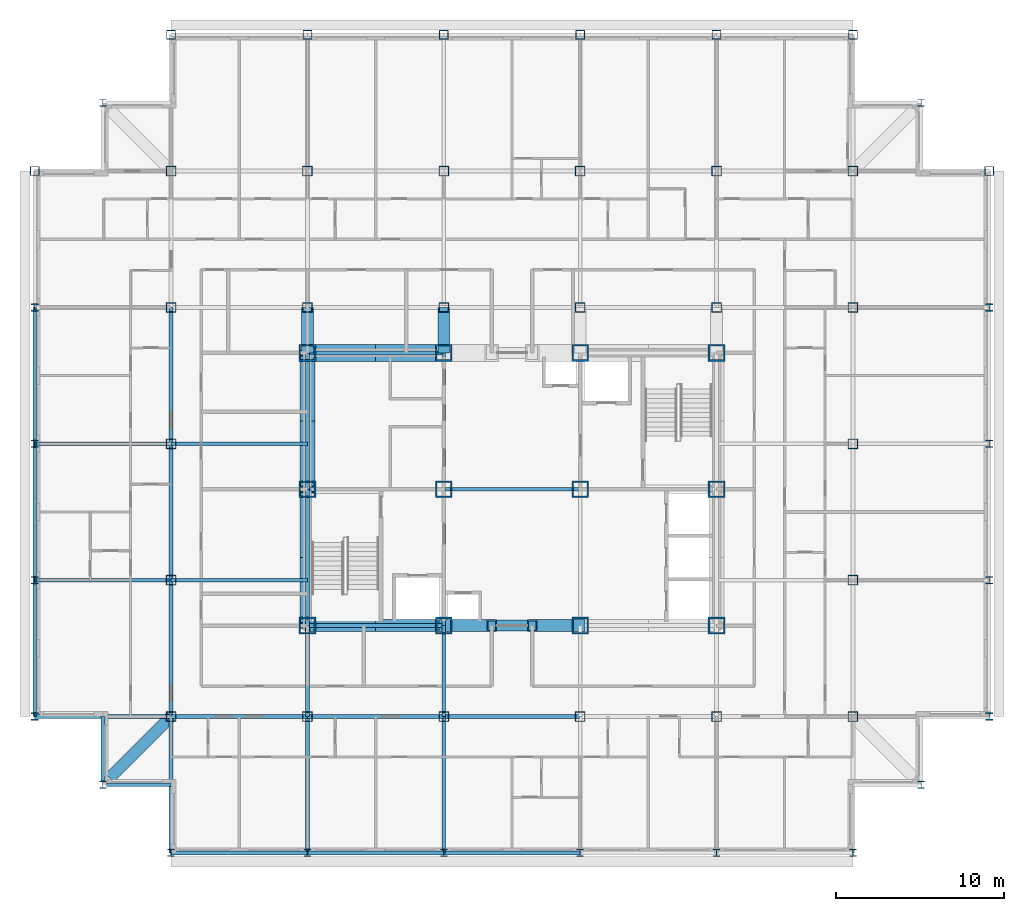
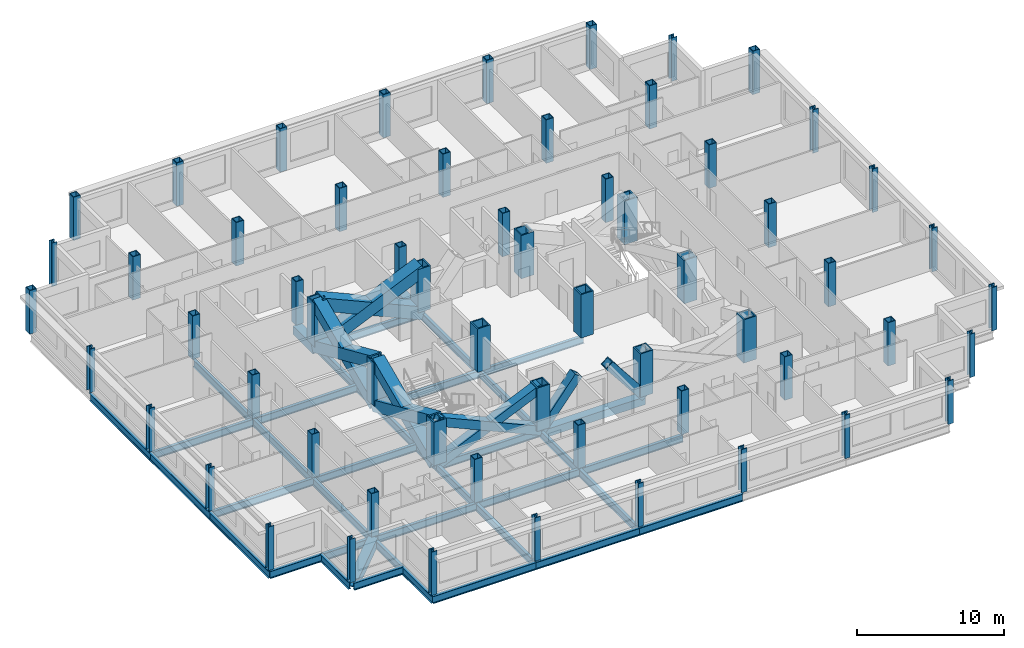
# One storey, part 1 of 12: 60 columns, 36 beams, 10 members.
"""IFC4 building model written with IfcOpenShell, lengths in metres."""

from ifc_helpers import new_model, si_unit, direction, frame, origin, origin_2d, place, context, subcontext, project, spatial, hollow_rectangle, i_section, extrude, material, material_profile, profile_set, type_object, element, save


model = new_model("IFC4")

# Units and contexts
model_context = context("Model", 3, precision=1e-05, world=origin(), true_north=direction((0.0, 1.0)))
body_context = subcontext(model_context, "Body", "Model", "MODEL_VIEW")
ifc_project = project(units=[si_unit("LENGTHUNIT", "METRE"), si_unit("AREAUNIT", "SQUARE_METRE"), si_unit("VOLUMEUNIT", "CUBIC_METRE"), si_unit("PLANEANGLEUNIT", "RADIAN"), si_unit("MASSUNIT", "GRAM", prefix="KILO")], contexts=[model_context])

# Site, building, storey
site_placement = place(None, origin())
site = spatial("IfcSite", under=ifc_project, at=site_placement, CompositionType="ELEMENT")
building_placement = place(site_placement, origin())
building = spatial("IfcBuilding", under=site, at=building_placement, Name="Kopane Lantern Tower", CompositionType="ELEMENT")
storey_placement = place(building_placement, frame((0.0, 0.0, 206.39990234375)))
storey = spatial("IfcBuildingStorey", under=building, at=storey_placement, Name="L53", CompositionType="ELEMENT", Elevation=206.39990234375)

# Columns
ifc_material_1 = material(Name="Steel S355JR", Category="steel")
ifc_material_profile_1 = material_profile(ifc_material_1, hollow_rectangle(XDim=1.0, YDim=1.0, WallThickness=0.10009765625, at=origin_2d()), Name="BOX 1000x1000x100")
ifc_profile_set_1 = profile_set([ifc_material_profile_1], Name="Steel S355JR")
column_type_1 = type_object("IfcColumnType", Name="COLUMN BOX 1000x1000x100", PredefinedType="COLUMN", material=ifc_profile_set_1)
for number, where, z_axis, x_axis, name in (
    (1, (16.199951171875, 24.300048828125, 0.0), (0.0, 0.0, 1.0), (1.0, 0.0, 0.0), "Column 4/E L53"),
    (2, (16.199951171875, 32.39990234375, 0.0), (0.0, 0.0, 1.0), (1.0, 0.0, 0.0), "Column 4/F L53"),
    (3, (16.199951171875, 40.5, 0.0), (0.0, 0.0, 1.0), (1.0, 0.0, 0.0), "Column 4/G L53"),
    (4, (24.300048828125, 24.300048828125, 0.0), (0.0, 0.0, 1.0), (1.0, 0.0, 0.0), "Column 5/E L53"),
    (5, (24.300048828125, 32.39990234375, 0.0), (0.0, 0.0, 1.0), (1.0, 0.0, 0.0), "Column 5/F L53"),
    (6, (24.300048828125, 40.5, 0.0), (0.0, 0.0, 1.0), (1.0, 0.0, 0.0), "Column 5/G L53"),
    (7, (32.39990234375, 24.300048828125, 0.0), (0.0, 0.0, 1.0), (1.0, 0.0, 0.0), "Column 6/E L53"),
    (8, (32.39990234375, 32.39990234375, 0.0), (0.0, 0.0, 1.0), (1.0, 0.0, 0.0), "Column 6/F L53"),
    (9, (32.39990234375, 40.5, 0.0), (0.0, 0.0, 1.0), (1.0, 0.0, 0.0), "Column 6/G L53"),
    (10, (40.5, 24.300048828125, 0.0), (0.0, 0.0, 1.0), (1.0, 0.0, 0.0), "Column 7/E L53"),
    (11, (40.5, 32.39990234375, 0.0), (0.0, 0.0, 1.0), (1.0, 0.0, 0.0), "Column 7/F L53"),
    (12, (40.5, 40.5, 0.0), (0.0, 0.0, 1.0), (1.0, 0.0, 0.0), "Column 7/G L53"),
):
    element("IfcColumn", number, at=place(storey_placement, frame(where, z_axis=z_axis, x_axis=x_axis)), inside=storey, type_object=column_type_1, Name=name, PredefinedType="COLUMN", context=body_context, shape_type="SweptSolid", body=[
        extrude(hollow_rectangle(XDim=1.0, YDim=1.0, WallThickness=0.10009765625, at=origin_2d()), origin(), (0.0, 0.0, 1.0), 3.60009765625),
    ])
ifc_material_2 = material(Name="Steel S355JR", Category="steel")
ifc_material_profile_2 = material_profile(ifc_material_2, hollow_rectangle(XDim=0.550048828125, YDim=0.550048828125, WallThickness=0.044921875, at=origin_2d()), Name="BOX 550x550x45")
ifc_profile_set_2 = profile_set([ifc_material_profile_2], Name="Steel S355JR")
column_type_2 = type_object("IfcColumnType", Name="COLUMN BOX 550x550x45", PredefinedType="COLUMN", material=ifc_profile_set_2)
for number, where, z_axis, x_axis, name in (
    (13, (0.0, 51.300048828125, 0.0), (0.0, 0.0, 1.0), (1.0, 0.0, 0.0), "Column 2/Q6 L53"),
    (14, (8.10009765625, 59.39990234375, 0.0), (0.0, 0.0, 1.0), (1.0, 0.0, 0.0), "Column 3/Q7 L53"),
    (15, (16.199951171875, 59.39990234375, 0.0), (0.0, 0.0, 1.0), (1.0, 0.0, 0.0), "Column 4/Q7 L53"),
    (16, (24.300048828125, 59.39990234375, 0.0), (0.0, 0.0, 1.0), (1.0, 0.0, 0.0), "Column 5/Q7 L53"),
    (17, (32.39990234375, 59.39990234375, 0.0), (0.0, 0.0, 1.0), (1.0, 0.0, 0.0), "Column 6/Q7 L53"),
    (18, (40.5, 59.39990234375, 0.0), (0.0, 0.0, 1.0), (1.0, 0.0, 0.0), "Column 7/Q7 L53"),
    (19, (48.60009765625, 59.39990234375, 0.0), (0.0, 0.0, 1.0), (1.0, 0.0, 0.0), "Column 8/Q7 L53"),
    (20, (56.699951171875, 51.300048828125, 0.0), (0.0, 0.0, 1.0), (1.0, 0.0, 0.0), "Column 9/Q6 L53"),
):
    element("IfcColumn", number, at=place(storey_placement, frame(where, z_axis=z_axis, x_axis=x_axis)), inside=storey, type_object=column_type_2, Name=name, PredefinedType="COLUMN", context=body_context, shape_type="SweptSolid", body=[
        extrude(hollow_rectangle(XDim=0.550048828125, YDim=0.550048828125, WallThickness=0.044921875, at=origin_2d()), origin(), (0.0, 0.0, 1.0), 3.60009765625),
    ])
ifc_material_3 = material(Name="Steel S355JR", Category="steel")
ifc_material_profile_3 = material_profile(ifc_material_3, hollow_rectangle(XDim=0.60009765625, YDim=0.60009765625, WallThickness=0.050048828125, at=origin_2d()), Name="BOX 600x600x50")
ifc_profile_set_3 = profile_set([ifc_material_profile_3], Name="Steel S355JR")
column_type_3 = type_object("IfcColumnType", Name="COLUMN BOX 600x600x50", PredefinedType="COLUMN", material=ifc_profile_set_3)
for number, where, z_axis, x_axis, name in (
    (21, (8.10009765625, 18.89990234375, 0.0), (0.0, 0.0, 1.0), (1.0, 0.0, 0.0), "Column 3/Q2 L53"),
    (22, (8.10009765625, 27.0, 0.0), (0.0, 0.0, 1.0), (1.0, 0.0, 0.0), "Column 3/Q3 L53"),
    (23, (8.10009765625, 35.10009765625, 0.0), (0.0, 0.0, 1.0), (1.0, 0.0, 0.0), "Column 3/Q4 L53"),
    (24, (8.10009765625, 43.199951171875, 0.0), (0.0, 0.0, 1.0), (1.0, 0.0, 0.0), "Column 3/Q5 L53"),
    (25, (8.10009765625, 51.300048828125, 0.0), (0.0, 0.0, 1.0), (1.0, 0.0, 0.0), "Column 3/Q6 L53"),
    (26, (16.199951171875, 18.89990234375, 0.0), (0.0, 0.0, 1.0), (1.0, 0.0, 0.0), "Column 4/Q2 L53"),
    (27, (16.199951171875, 43.199951171875, 0.0), (0.0, 0.0, 1.0), (1.0, 0.0, 0.0), "Column 4/Q5 L53"),
    (28, (16.199951171875, 51.300048828125, 0.0), (0.0, 0.0, 1.0), (1.0, 0.0, 0.0), "Column 4/Q6 L53"),
    (29, (24.300048828125, 18.89990234375, 0.0), (0.0, 0.0, 1.0), (1.0, 0.0, 0.0), "Column 5/Q2 L53"),
    (30, (24.300048828125, 43.199951171875, 0.0), (0.0, 0.0, 1.0), (1.0, 0.0, 0.0), "Column 5/Q5 L53"),
    (31, (24.300048828125, 51.300048828125, 0.0), (0.0, 0.0, 1.0), (1.0, 0.0, 0.0), "Column 5/Q6 L53"),
    (32, (32.39990234375, 18.89990234375, 0.0), (0.0, 0.0, 1.0), (1.0, 0.0, 0.0), "Column 6/Q2 L53"),
    (33, (32.39990234375, 43.199951171875, 0.0), (0.0, 0.0, 1.0), (1.0, 0.0, 0.0), "Column 6/Q5 L53"),
    (34, (32.39990234375, 51.300048828125, 0.0), (0.0, 0.0, 1.0), (1.0, 0.0, 0.0), "Column 6/Q6 L53"),
    (35, (40.5, 18.89990234375, 0.0), (0.0, 0.0, 1.0), (1.0, 0.0, 0.0), "Column 7/Q2 L53"),
    (36, (40.5, 43.199951171875, 0.0), (0.0, 0.0, 1.0), (1.0, 0.0, 0.0), "Column 7/Q5 L53"),
    (37, (40.5, 51.300048828125, 0.0), (0.0, 0.0, 1.0), (1.0, 0.0, 0.0), "Column 7/Q6 L53"),
    (38, (48.60009765625, 18.89990234375, 0.0), (0.0, 0.0, 1.0), (1.0, 0.0, 0.0), "Column 8/Q2 L53"),
    (39, (48.60009765625, 27.0, 0.0), (0.0, 0.0, 1.0), (1.0, 0.0, 0.0), "Column 8/Q3 L53"),
    (40, (48.60009765625, 35.10009765625, 0.0), (0.0, 0.0, 1.0), (1.0, 0.0, 0.0), "Column 8/Q4 L53"),
    (41, (48.60009765625, 43.199951171875, 0.0), (0.0, 0.0, 1.0), (1.0, 0.0, 0.0), "Column 8/Q5 L53"),
    (42, (48.60009765625, 51.300048828125, 0.0), (0.0, 0.0, 1.0), (1.0, 0.0, 0.0), "Column 8/Q6 L53"),
):
    element("IfcColumn", number, at=place(storey_placement, frame(where, z_axis=z_axis, x_axis=x_axis)), inside=storey, type_object=column_type_3, Name=name, PredefinedType="COLUMN", context=body_context, shape_type="SweptSolid", body=[
        extrude(hollow_rectangle(XDim=0.60009765625, YDim=0.60009765625, WallThickness=0.050048828125, at=origin_2d()), origin(), (0.0, 0.0, 1.0), 3.60009765625),
    ])
ifc_material_4 = material(Name="Steel S355JR", Category="steel")
ifc_material_profile_4 = material_profile(ifc_material_4, i_section(OverallWidth=0.406982421875, OverallDepth=0.4189453125, WebThickness=0.030517578125, FlangeThickness=0.04931640625, FilletRadius=0.01513671875, at=origin_2d()), Name="UC 356x406x393")
ifc_profile_set_4 = profile_set([ifc_material_profile_4], Name="Steel S355JR")
column_type_4 = type_object("IfcColumnType", Name="COLUMN UC 356x406x393", PredefinedType="COLUMN", material=ifc_profile_set_4)
for number, where, z_axis, x_axis, name in (
    (43, (4.050048828125, 14.85009765625, 0.0), (0.0, 0.0, 1.0), (1.0, 0.0, 0.0), "Column 4.05/14.85 L53"),
    (44, (4.050048828125, 55.35009765625, 0.0), (0.0, 0.0, 1.0), (1.0, 0.0, 0.0), "Column 4.05/55.35 L53"),
    (45, (52.64990234375, 14.85009765625, 0.0), (0.0, 0.0, 1.0), (1.0, 0.0, 0.0), "Column 52.65/14.85 L53"),
    (46, (52.64990234375, 55.35009765625, 0.0), (0.0, 0.0, 1.0), (1.0, 0.0, 0.0), "Column 52.65/55.35 L53"),
):
    element("IfcColumn", number, at=place(storey_placement, frame(where, z_axis=z_axis, x_axis=x_axis)), inside=storey, type_object=column_type_4, Name=name, PredefinedType="COLUMN", context=body_context, shape_type="SweptSolid", body=[
        extrude(i_section(OverallWidth=0.406982421875, OverallDepth=0.4189453125, WebThickness=0.030517578125, FlangeThickness=0.04931640625, FilletRadius=0.01513671875, at=origin_2d()), origin(), (0.0, 0.0, 1.0), 3.60009765625),
    ])
ifc_material_5 = material(Name="Steel S355JR", Category="steel")
ifc_material_profile_5 = material_profile(ifc_material_5, i_section(OverallWidth=0.41845703125, OverallDepth=0.45556640625, WebThickness=0.0419921875, FlangeThickness=0.0673828125, FilletRadius=0.01513671875, at=origin_2d()), Name="UC 356x406x551")
ifc_profile_set_5 = profile_set([ifc_material_profile_5], Name="Steel S355JR")
column_type_5 = type_object("IfcColumnType", Name="COLUMN UC 356x406x551", PredefinedType="COLUMN", material=ifc_profile_set_5)
for number, where, z_axis, x_axis, name in (
    (47, (0.0, 18.89990234375, 0.0), (0.0, 0.0, 1.0), (1.0, 0.0, 0.0), "Column 2/Q2 L53"),
    (48, (0.0, 27.0, 0.0), (0.0, 0.0, 1.0), (1.0, 0.0, 0.0), "Column 2/Q3 L53"),
    (49, (0.0, 35.10009765625, 0.0), (0.0, 0.0, 1.0), (1.0, 0.0, 0.0), "Column 2/Q4 L53"),
    (50, (0.0, 43.199951171875, 0.0), (0.0, 0.0, 1.0), (1.0, 0.0, 0.0), "Column 2/Q5 L53"),
    (51, (8.10009765625, 10.800048828125, 0.0), (0.0, 0.0, 1.0), (1.0, 0.0, 0.0), "Column 3/Q1 L53"),
    (52, (16.199951171875, 10.800048828125, 0.0), (0.0, 0.0, 1.0), (1.0, 0.0, 0.0), "Column 4/Q1 L53"),
    (53, (24.300048828125, 10.800048828125, 0.0), (0.0, 0.0, 1.0), (1.0, 0.0, 0.0), "Column 5/Q1 L53"),
    (54, (32.39990234375, 10.800048828125, 0.0), (0.0, 0.0, 1.0), (1.0, 0.0, 0.0), "Column 6/Q1 L53"),
    (55, (40.5, 10.800048828125, 0.0), (0.0, 0.0, 1.0), (1.0, 0.0, 0.0), "Column 7/Q1 L53"),
    (56, (48.60009765625, 10.800048828125, 0.0), (0.0, 0.0, 1.0), (1.0, 0.0, 0.0), "Column 8/Q1 L53"),
    (57, (56.699951171875, 18.89990234375, 0.0), (0.0, 0.0, 1.0), (1.0, 0.0, 0.0), "Column 9/Q2 L53"),
    (58, (56.699951171875, 27.0, 0.0), (0.0, 0.0, 1.0), (1.0, 0.0, 0.0), "Column 9/Q3 L53"),
    (59, (56.699951171875, 35.10009765625, 0.0), (0.0, 0.0, 1.0), (1.0, 0.0, 0.0), "Column 9/Q4 L53"),
    (60, (56.699951171875, 43.199951171875, 0.0), (0.0, 0.0, 1.0), (1.0, 0.0, 0.0), "Column 9/Q5 L53"),
):
    element("IfcColumn", number, at=place(storey_placement, frame(where, z_axis=z_axis, x_axis=x_axis)), inside=storey, type_object=column_type_5, Name=name, PredefinedType="COLUMN", context=body_context, shape_type="SweptSolid", body=[
        extrude(i_section(OverallWidth=0.41845703125, OverallDepth=0.45556640625, WebThickness=0.0419921875, FlangeThickness=0.0673828125, FilletRadius=0.01513671875, at=origin_2d()), origin(), (0.0, 0.0, 1.0), 3.60009765625),
    ])

# Members
ifc_material_6 = material(Name="Steel S355JR", Category="steel")
ifc_material_profile_6 = material_profile(ifc_material_6, hollow_rectangle(XDim=1.0, YDim=1.0, WallThickness=0.10009765625, at=origin_2d()), Name="BOX 1000x1000x100")
ifc_profile_set_6 = profile_set([ifc_material_profile_6], Name="Steel S355JR")
member_type_1 = type_object("IfcMemberType", Name="BRACE BOX 1000x1000x100", PredefinedType="BRACE", material=ifc_profile_set_6)
for number, where, z_axis, x_axis, name in (
    (61, (16.199951171875, 40.5, -0.2099609375), (0.913809277049, 0.0, 0.40614357705), (0.0, 1.0, 0.0), "Core brace L53"),
    (62, (24.300048828125, 40.5, -0.2099609375), (-0.913809277049, 0.0, 0.40614357705), (0.0, -1.0, 0.0), "Core brace L53"),
):
    element("IfcMember", number, at=place(storey_placement, frame(where, z_axis=z_axis, x_axis=x_axis)), inside=storey, type_object=member_type_1, Name=name, PredefinedType="BRACE", context=body_context, shape_type="SweptSolid", body=[
        extrude(hollow_rectangle(XDim=1.0, YDim=1.0, WallThickness=0.10009765625, at=origin_2d()), origin(), (0.0, 0.0, 1.0), 8.864013671875),
    ])
ifc_material_7 = material(Name="Steel S355JR", Category="steel")
ifc_material_profile_7 = material_profile(ifc_material_7, hollow_rectangle(XDim=0.699951171875, YDim=0.699951171875, WallThickness=0.06005859375, at=origin_2d()), Name="BOX 700x700x60")
ifc_profile_set_7 = profile_set([ifc_material_profile_7], Name="Steel S355JR")
member_type_2 = type_object("IfcMemberType", Name="BRACE BOX 700x700x60", PredefinedType="BRACE", material=ifc_profile_set_7)
for number, where, z_axis, x_axis, name in (
    (63, (16.199951171875, 24.300048828125, -0.2099609375), (0.913809277049, 0.0, 0.40614357705), (0.0, 1.0, 0.0), "Core brace L53"),
    (64, (24.300048828125, 24.300048828125, -0.2099609375), (-0.913809277049, 0.0, 0.40614357705), (0.0, -1.0, 0.0), "Core brace L53"),
):
    element("IfcMember", number, at=place(storey_placement, frame(where, z_axis=z_axis, x_axis=x_axis)), inside=storey, type_object=member_type_2, Name=name, PredefinedType="BRACE", context=body_context, shape_type="SweptSolid", body=[
        extrude(hollow_rectangle(XDim=0.699951171875, YDim=0.699951171875, WallThickness=0.06005859375, at=origin_2d()), origin(), (0.0, 0.0, 1.0), 8.864013671875),
    ])
for number, where, z_axis, x_axis, name in (
    (65, (24.300048828125, 24.300048828125, -0.2099609375), (0.620672981644, 0.0, 0.784069544018), (0.0, 1.0, 0.0), "Core brace L53"),
    (66, (32.39990234375, 24.300048828125, -0.2099609375), (-0.620672981644, 0.0, 0.784069544018), (0.0, -1.0, 0.0), "Core brace L53"),
):
    element("IfcMember", number, at=place(storey_placement, frame(where, z_axis=z_axis, x_axis=x_axis)), inside=storey, type_object=member_type_2, Name=name, PredefinedType="BRACE", context=body_context, shape_type="SweptSolid", body=[
        extrude(hollow_rectangle(XDim=0.699951171875, YDim=0.699951171875, WallThickness=0.06005859375, at=origin_2d()), origin(), (0.0, 0.0, 1.0), 4.591552734375),
    ])
ifc_material_8 = material(Name="Steel S355JR", Category="steel")
ifc_material_profile_8 = material_profile(ifc_material_8, hollow_rectangle(XDim=0.89990234375, YDim=0.89990234375, WallThickness=0.090087890625, at=origin_2d()), Name="BOX 900x900x90")
ifc_profile_set_8 = profile_set([ifc_material_profile_8], Name="Steel S355JR")
member_type_3 = type_object("IfcMemberType", Name="BRACE BOX 900x900x90", PredefinedType="BRACE", material=ifc_profile_set_8)
for number, where, z_axis, x_axis, name in (
    (67, (16.199951171875, 24.300048828125, -0.2099609375), (0.0, 0.91380473365, 0.406153799391), (-1.0, 0.0, 0.0), "Core brace L53"),
    (68, (16.199951171875, 32.39990234375, -0.2099609375), (0.0, -0.91380473365, 0.406153799391), (1.0, 0.0, 0.0), "Core brace L53"),
):
    element("IfcMember", number, at=place(storey_placement, frame(where, z_axis=z_axis, x_axis=x_axis)), inside=storey, type_object=member_type_3, Name=name, PredefinedType="BRACE", context=body_context, shape_type="SweptSolid", body=[
        extrude(hollow_rectangle(XDim=0.89990234375, YDim=0.89990234375, WallThickness=0.090087890625, at=origin_2d()), origin(), (0.0, 0.0, 1.0), 8.86376953125),
    ])
for number, where, z_axis, x_axis, name in (
    (69, (16.199951171875, 32.39990234375, -0.2099609375), (0.0, 0.913809277049, 0.40614357705), (-1.0, 0.0, 0.0), "Core brace L53"),
    (70, (16.199951171875, 40.5, -0.2099609375), (0.0, -0.913809277049, 0.40614357705), (1.0, 0.0, 0.0), "Core brace L53"),
):
    element("IfcMember", number, at=place(storey_placement, frame(where, z_axis=z_axis, x_axis=x_axis)), inside=storey, type_object=member_type_3, Name=name, PredefinedType="BRACE", context=body_context, shape_type="SweptSolid", body=[
        extrude(hollow_rectangle(XDim=0.89990234375, YDim=0.89990234375, WallThickness=0.090087890625, at=origin_2d()), origin(), (0.0, 0.0, 1.0), 8.864013671875),
    ])

# Beams
ifc_material_9 = material(Name="Steel S355JR", Category="steel")
ifc_material_profile_9 = material_profile(ifc_material_9, i_section(OverallWidth=0.22900390625, OverallDepth=0.6123046875, WebThickness=0.011962890625, FlangeThickness=0.01953125, FilletRadius=0.0126953125, at=origin_2d()), Name="UB 610x229x125")
ifc_profile_set_9 = profile_set([ifc_material_profile_9], Name="Steel S355JR")
beam_type_1 = type_object("IfcBeamType", Name="CORE BEAM UB 610x229x125", PredefinedType="BEAM", material=ifc_profile_set_9)
beam_1_placement = place(storey_placement, frame((16.199951171875, 32.39990234375, -0.51611328125), z_axis=(1.0, 0.0, 0.0), x_axis=(0.0, 1.0, 0.0)))
element("IfcBeam", 71, at=beam_1_placement, inside=storey, type_object=beam_type_1, Name="Core Beam L53", PredefinedType="BEAM", context=body_context, shape_type="SweptSolid", body=[
    extrude(i_section(OverallWidth=0.22900390625, OverallDepth=0.6123046875, WebThickness=0.011962890625, FlangeThickness=0.01953125, FilletRadius=0.0126953125, at=origin_2d()), origin(), (0.0, 0.0, 1.0), 8.10009765625),
])
beam_2_placement = place(storey_placement, frame((24.300048828125, 24.300048828125, -0.51611328125), z_axis=(0.0, 1.0, 0.0), x_axis=(-1.0, 0.0, 0.0)))
element("IfcBeam", 72, at=beam_2_placement, inside=storey, type_object=beam_type_1, Name="Core Beam L53", PredefinedType="BEAM", context=body_context, shape_type="SweptSolid", body=[
    extrude(i_section(OverallWidth=0.22900390625, OverallDepth=0.6123046875, WebThickness=0.011962890625, FlangeThickness=0.01953125, FilletRadius=0.0126953125, at=origin_2d()), origin(), (0.0, 0.0, 1.0), 8.099853515625),
])
beam_3_placement = place(storey_placement, frame((24.300048828125, 32.39990234375, -0.51611328125), z_axis=(0.0, 1.0, 0.0), x_axis=(-1.0, 0.0, 0.0)))
element("IfcBeam", 73, at=beam_3_placement, inside=storey, type_object=beam_type_1, Name="Core Beam L53", PredefinedType="BEAM", context=body_context, shape_type="SweptSolid", body=[
    extrude(i_section(OverallWidth=0.22900390625, OverallDepth=0.6123046875, WebThickness=0.011962890625, FlangeThickness=0.01953125, FilletRadius=0.0126953125, at=origin_2d()), origin(), (0.0, 0.0, 1.0), 8.10009765625),
])
beam_4_placement = place(storey_placement, frame((24.300048828125, 32.39990234375, -0.51611328125), z_axis=(1.0, 0.0, 0.0), x_axis=(0.0, 1.0, 0.0)))
element("IfcBeam", 74, at=beam_4_placement, inside=storey, type_object=beam_type_1, Name="Core Beam L53", PredefinedType="BEAM", context=body_context, shape_type="SweptSolid", body=[
    extrude(i_section(OverallWidth=0.22900390625, OverallDepth=0.6123046875, WebThickness=0.011962890625, FlangeThickness=0.01953125, FilletRadius=0.0126953125, at=origin_2d()), origin(), (0.0, 0.0, 1.0), 8.099853515625),
])
ifc_material_10 = material(Name="Steel S355JR", Category="steel")
ifc_material_profile_10 = material_profile(ifc_material_10, hollow_rectangle(XDim=0.699951171875, YDim=0.699951171875, WallThickness=0.06005859375, at=origin_2d()), Name="BOX 700x700x60")
ifc_profile_set_10 = profile_set([ifc_material_profile_10], Name="Steel S355JR")
beam_type_2 = type_object("IfcBeamType", Name="CORNER TIE BEAM BOX 700x700x60", PredefinedType="BEAM", material=ifc_profile_set_10)
beam_5_placement = place(storey_placement, frame((4.447509765625, 15.24755859375, -0.559814453125), z_axis=(0.70713041325, 0.707083148333, 0.0), x_axis=(-0.707083148333, 0.70713041325, 0.0)))
element("IfcBeam", 75, at=beam_5_placement, inside=storey, type_object=beam_type_2, Name="Corner Tie Beam L53", PredefinedType="BEAM", context=body_context, shape_type="SweptSolid", body=[
    extrude(hollow_rectangle(XDim=0.699951171875, YDim=0.699951171875, WallThickness=0.06005859375, at=origin_2d()), origin(), (0.0, 0.0, 1.0), 5.165283203125),
])
ifc_material_11 = material(Name="Steel S355JR", Category="steel")
ifc_material_profile_11 = material_profile(ifc_material_11, i_section(OverallWidth=0.22900390625, OverallDepth=0.6123046875, WebThickness=0.011962890625, FlangeThickness=0.01953125, FilletRadius=0.0126953125, at=origin_2d()), Name="UB 610x229x125")
ifc_profile_set_11 = profile_set([ifc_material_profile_11], Name="Steel S355JR")
beam_type_3 = type_object("IfcBeamType", Name="EDGE BEAM UB 610x229x125", PredefinedType="BEAM", material=ifc_profile_set_11)
beam_6_placement = place(storey_placement, frame((4.050048828125, 15.053466796875, -0.51611328125), z_axis=(0.0, 1.0, 0.0), x_axis=(-1.0, 0.0, 0.0)))
element("IfcBeam", 76, at=beam_6_placement, inside=storey, type_object=beam_type_3, Name="Edge Beam L53", PredefinedType="BEAM", context=body_context, shape_type="SweptSolid", body=[
    extrude(i_section(OverallWidth=0.22900390625, OverallDepth=0.6123046875, WebThickness=0.011962890625, FlangeThickness=0.01953125, FilletRadius=0.0126953125, at=origin_2d()), origin(), (0.0, 0.0, 1.0), 3.846435546875),
])
beam_7_placement = place(storey_placement, frame((4.25341796875, 14.85009765625, -0.51611328125), z_axis=(1.0, 0.0, 0.0), x_axis=(0.0, 1.0, 0.0)))
element("IfcBeam", 77, at=beam_7_placement, inside=storey, type_object=beam_type_3, Name="Edge Beam L53", PredefinedType="BEAM", context=body_context, shape_type="SweptSolid", body=[
    extrude(i_section(OverallWidth=0.22900390625, OverallDepth=0.6123046875, WebThickness=0.011962890625, FlangeThickness=0.01953125, FilletRadius=0.0126953125, at=origin_2d()), origin(), (0.0, 0.0, 1.0), 3.8466796875),
])
ifc_material_12 = material(Name="Steel S355JR", Category="steel")
ifc_material_profile_12 = material_profile(ifc_material_12, hollow_rectangle(XDim=0.699951171875, YDim=0.699951171875, WallThickness=0.06005859375, at=origin_2d()), Name="BOX 700x700x60")
ifc_profile_set_12 = profile_set([ifc_material_profile_12], Name="Steel S355JR")
beam_type_4 = type_object("IfcBeamType", Name="GIRDER BOX 700x700x60", PredefinedType="BEAM", material=ifc_profile_set_12)
for number, where, z_axis, x_axis, name in (
    (78, (16.199951171875, 40.5, -0.559814453125), (0.0, 1.0, 0.0), (-1.0, 0.0, 0.0), "Girder L53"),
    (79, (24.300048828125, 40.5, -0.559814453125), (0.0, 1.0, 0.0), (-1.0, 0.0, 0.0), "Girder L53"),
):
    element("IfcBeam", number, at=place(storey_placement, frame(where, z_axis=z_axis, x_axis=x_axis)), inside=storey, type_object=beam_type_4, Name=name, PredefinedType="BEAM", context=body_context, shape_type="SweptSolid", body=[
        extrude(hollow_rectangle(XDim=0.699951171875, YDim=0.699951171875, WallThickness=0.06005859375, at=origin_2d()), origin(), (0.0, 0.0, 1.0), 2.699951171875),
    ])
ifc_material_13 = material(Name="Steel S355JR", Category="steel")
ifc_material_profile_13 = material_profile(ifc_material_13, i_section(OverallWidth=0.22900390625, OverallDepth=0.6123046875, WebThickness=0.011962890625, FlangeThickness=0.01953125, FilletRadius=0.0126953125, at=origin_2d()), Name="UB 610x229x125")
ifc_profile_set_13 = profile_set([ifc_material_profile_13], Name="Steel S355JR")
beam_type_5 = type_object("IfcBeamType", Name="GIRDER UB 610x229x125", PredefinedType="BEAM", material=ifc_profile_set_13)
for number, where, z_axis, x_axis, name in (
    (80, (0.0, 18.89990234375, -0.51611328125), (0.0, 1.0, 0.0), (-1.0, 0.0, 0.0), "Girder L53"),
    (81, (0.0, 18.89990234375, -0.51611328125), (1.0, 0.0, 0.0), (0.0, 1.0, 0.0), "Girder L53"),
    (82, (0.0, 27.0, -0.51611328125), (0.0, 1.0, 0.0), (-1.0, 0.0, 0.0), "Girder L53"),
    (83, (0.0, 27.0, -0.51611328125), (1.0, 0.0, 0.0), (0.0, 1.0, 0.0), "Girder L53"),
):
    element("IfcBeam", number, at=place(storey_placement, frame(where, z_axis=z_axis, x_axis=x_axis)), inside=storey, type_object=beam_type_5, Name=name, PredefinedType="BEAM", context=body_context, shape_type="SweptSolid", body=[
        extrude(i_section(OverallWidth=0.22900390625, OverallDepth=0.6123046875, WebThickness=0.011962890625, FlangeThickness=0.01953125, FilletRadius=0.0126953125, at=origin_2d()), origin(), (0.0, 0.0, 1.0), 8.10009765625),
    ])
beam_8_placement = place(storey_placement, frame((0.0, 35.10009765625, -0.51611328125), z_axis=(0.0, 1.0, 0.0), x_axis=(-1.0, 0.0, 0.0)))
element("IfcBeam", 84, at=beam_8_placement, inside=storey, type_object=beam_type_5, Name="Girder L53", PredefinedType="BEAM", context=body_context, shape_type="SweptSolid", body=[
    extrude(i_section(OverallWidth=0.22900390625, OverallDepth=0.6123046875, WebThickness=0.011962890625, FlangeThickness=0.01953125, FilletRadius=0.0126953125, at=origin_2d()), origin(), (0.0, 0.0, 1.0), 8.099853515625),
])
beam_9_placement = place(storey_placement, frame((0.0, 35.10009765625, -0.51611328125), z_axis=(1.0, 0.0, 0.0), x_axis=(0.0, 1.0, 0.0)))
element("IfcBeam", 85, at=beam_9_placement, inside=storey, type_object=beam_type_5, Name="Girder L53", PredefinedType="BEAM", context=body_context, shape_type="SweptSolid", body=[
    extrude(i_section(OverallWidth=0.22900390625, OverallDepth=0.6123046875, WebThickness=0.011962890625, FlangeThickness=0.01953125, FilletRadius=0.0126953125, at=origin_2d()), origin(), (0.0, 0.0, 1.0), 8.10009765625),
])
for number, where, z_axis, x_axis, name in (
    (86, (8.10009765625, 10.800048828125, -0.51611328125), (0.0, 1.0, 0.0), (-1.0, 0.0, 0.0), "Girder L53"),
    (87, (8.10009765625, 10.800048828125, -0.51611328125), (1.0, 0.0, 0.0), (0.0, 1.0, 0.0), "Girder L53"),
):
    element("IfcBeam", number, at=place(storey_placement, frame(where, z_axis=z_axis, x_axis=x_axis)), inside=storey, type_object=beam_type_5, Name=name, PredefinedType="BEAM", context=body_context, shape_type="SweptSolid", body=[
        extrude(i_section(OverallWidth=0.22900390625, OverallDepth=0.6123046875, WebThickness=0.011962890625, FlangeThickness=0.01953125, FilletRadius=0.0126953125, at=origin_2d()), origin(), (0.0, 0.0, 1.0), 8.099853515625),
    ])
beam_10_placement = place(storey_placement, frame((8.10009765625, 18.89990234375, -0.51611328125), z_axis=(0.0, 1.0, 0.0), x_axis=(-1.0, 0.0, 0.0)))
element("IfcBeam", 88, at=beam_10_placement, inside=storey, type_object=beam_type_5, Name="Girder L53", PredefinedType="BEAM", context=body_context, shape_type="SweptSolid", body=[
    extrude(i_section(OverallWidth=0.22900390625, OverallDepth=0.6123046875, WebThickness=0.011962890625, FlangeThickness=0.01953125, FilletRadius=0.0126953125, at=origin_2d()), origin(), (0.0, 0.0, 1.0), 8.10009765625),
])
beam_11_placement = place(storey_placement, frame((8.10009765625, 18.89990234375, -0.51611328125), z_axis=(1.0, 0.0, 0.0), x_axis=(0.0, 1.0, 0.0)))
element("IfcBeam", 89, at=beam_11_placement, inside=storey, type_object=beam_type_5, Name="Girder L53", PredefinedType="BEAM", context=body_context, shape_type="SweptSolid", body=[
    extrude(i_section(OverallWidth=0.22900390625, OverallDepth=0.6123046875, WebThickness=0.011962890625, FlangeThickness=0.01953125, FilletRadius=0.0126953125, at=origin_2d()), origin(), (0.0, 0.0, 1.0), 8.099853515625),
])
beam_12_placement = place(storey_placement, frame((8.10009765625, 27.0, -0.51611328125), z_axis=(0.0, 1.0, 0.0), x_axis=(-1.0, 0.0, 0.0)))
element("IfcBeam", 90, at=beam_12_placement, inside=storey, type_object=beam_type_5, Name="Girder L53", PredefinedType="BEAM", context=body_context, shape_type="SweptSolid", body=[
    extrude(i_section(OverallWidth=0.22900390625, OverallDepth=0.6123046875, WebThickness=0.011962890625, FlangeThickness=0.01953125, FilletRadius=0.0126953125, at=origin_2d()), origin(), (0.0, 0.0, 1.0), 8.10009765625),
])
for number, where, z_axis, x_axis, name in (
    (91, (8.10009765625, 27.0, -0.51611328125), (1.0, 0.0, 0.0), (0.0, 1.0, 0.0), "Girder L53"),
    (92, (8.10009765625, 35.10009765625, -0.51611328125), (0.0, 1.0, 0.0), (-1.0, 0.0, 0.0), "Girder L53"),
    (93, (8.10009765625, 35.10009765625, -0.51611328125), (1.0, 0.0, 0.0), (0.0, 1.0, 0.0), "Girder L53"),
    (94, (16.199951171875, 10.800048828125, -0.51611328125), (0.0, 1.0, 0.0), (-1.0, 0.0, 0.0), "Girder L53"),
):
    element("IfcBeam", number, at=place(storey_placement, frame(where, z_axis=z_axis, x_axis=x_axis)), inside=storey, type_object=beam_type_5, Name=name, PredefinedType="BEAM", context=body_context, shape_type="SweptSolid", body=[
        extrude(i_section(OverallWidth=0.22900390625, OverallDepth=0.6123046875, WebThickness=0.011962890625, FlangeThickness=0.01953125, FilletRadius=0.0126953125, at=origin_2d()), origin(), (0.0, 0.0, 1.0), 8.099853515625),
    ])
beam_13_placement = place(storey_placement, frame((16.199951171875, 10.800048828125, -0.51611328125), z_axis=(1.0, 0.0, 0.0), x_axis=(0.0, 1.0, 0.0)))
element("IfcBeam", 95, at=beam_13_placement, inside=storey, type_object=beam_type_5, Name="Girder L53", PredefinedType="BEAM", context=body_context, shape_type="SweptSolid", body=[
    extrude(i_section(OverallWidth=0.22900390625, OverallDepth=0.6123046875, WebThickness=0.011962890625, FlangeThickness=0.01953125, FilletRadius=0.0126953125, at=origin_2d()), origin(), (0.0, 0.0, 1.0), 8.10009765625),
])
beam_14_placement = place(storey_placement, frame((16.199951171875, 18.89990234375, -0.51611328125), z_axis=(0.0, 1.0, 0.0), x_axis=(-1.0, 0.0, 0.0)))
element("IfcBeam", 96, at=beam_14_placement, inside=storey, type_object=beam_type_5, Name="Girder L53", PredefinedType="BEAM", context=body_context, shape_type="SweptSolid", body=[
    extrude(i_section(OverallWidth=0.22900390625, OverallDepth=0.6123046875, WebThickness=0.011962890625, FlangeThickness=0.01953125, FilletRadius=0.0126953125, at=origin_2d()), origin(), (0.0, 0.0, 1.0), 5.400146484375),
])
beam_15_placement = place(storey_placement, frame((16.199951171875, 18.89990234375, -0.51611328125), z_axis=(1.0, 0.0, 0.0), x_axis=(0.0, 1.0, 0.0)))
element("IfcBeam", 97, at=beam_15_placement, inside=storey, type_object=beam_type_5, Name="Girder L53", PredefinedType="BEAM", context=body_context, shape_type="SweptSolid", body=[
    extrude(i_section(OverallWidth=0.22900390625, OverallDepth=0.6123046875, WebThickness=0.011962890625, FlangeThickness=0.01953125, FilletRadius=0.0126953125, at=origin_2d()), origin(), (0.0, 0.0, 1.0), 8.10009765625),
])
beam_16_placement = place(storey_placement, frame((16.199951171875, 24.300048828125, -0.51611328125), z_axis=(0.0, 1.0, 0.0), x_axis=(-1.0, 0.0, 0.0)))
element("IfcBeam", 98, at=beam_16_placement, inside=storey, type_object=beam_type_5, Name="Girder L53", PredefinedType="BEAM", context=body_context, shape_type="SweptSolid", body=[
    extrude(i_section(OverallWidth=0.22900390625, OverallDepth=0.6123046875, WebThickness=0.011962890625, FlangeThickness=0.01953125, FilletRadius=0.0126953125, at=origin_2d()), origin(), (0.0, 0.0, 1.0), 8.099853515625),
])
for number, where, z_axis, x_axis, name in (
    (99, (16.199951171875, 24.300048828125, -0.51611328125), (1.0, 0.0, 0.0), (0.0, 1.0, 0.0), "Girder L53"),
    (100, (16.199951171875, 32.39990234375, -0.51611328125), (0.0, 1.0, 0.0), (-1.0, 0.0, 0.0), "Girder L53"),
    (101, (16.199951171875, 40.5, -0.51611328125), (1.0, 0.0, 0.0), (0.0, 1.0, 0.0), "Girder L53"),
):
    element("IfcBeam", number, at=place(storey_placement, frame(where, z_axis=z_axis, x_axis=x_axis)), inside=storey, type_object=beam_type_5, Name=name, PredefinedType="BEAM", context=body_context, shape_type="SweptSolid", body=[
        extrude(i_section(OverallWidth=0.22900390625, OverallDepth=0.6123046875, WebThickness=0.011962890625, FlangeThickness=0.01953125, FilletRadius=0.0126953125, at=origin_2d()), origin(), (0.0, 0.0, 1.0), 8.10009765625),
    ])
for number, where, z_axis, x_axis, name in (
    (102, (24.300048828125, 10.800048828125, -0.51611328125), (0.0, 1.0, 0.0), (-1.0, 0.0, 0.0), "Girder L53"),
    (103, (24.300048828125, 10.800048828125, -0.51611328125), (1.0, 0.0, 0.0), (0.0, 1.0, 0.0), "Girder L53"),
):
    element("IfcBeam", number, at=place(storey_placement, frame(where, z_axis=z_axis, x_axis=x_axis)), inside=storey, type_object=beam_type_5, Name=name, PredefinedType="BEAM", context=body_context, shape_type="SweptSolid", body=[
        extrude(i_section(OverallWidth=0.22900390625, OverallDepth=0.6123046875, WebThickness=0.011962890625, FlangeThickness=0.01953125, FilletRadius=0.0126953125, at=origin_2d()), origin(), (0.0, 0.0, 1.0), 8.099853515625),
    ])
beam_17_placement = place(storey_placement, frame((24.300048828125, 18.89990234375, -0.51611328125), z_axis=(0.0, 1.0, 0.0), x_axis=(-1.0, 0.0, 0.0)))
element("IfcBeam", 104, at=beam_17_placement, inside=storey, type_object=beam_type_5, Name="Girder L53", PredefinedType="BEAM", context=body_context, shape_type="SweptSolid", body=[
    extrude(i_section(OverallWidth=0.22900390625, OverallDepth=0.6123046875, WebThickness=0.011962890625, FlangeThickness=0.01953125, FilletRadius=0.0126953125, at=origin_2d()), origin(), (0.0, 0.0, 1.0), 5.400146484375),
])
beam_18_placement = place(storey_placement, frame((24.300048828125, 18.89990234375, -0.51611328125), z_axis=(1.0, 0.0, 0.0), x_axis=(0.0, 1.0, 0.0)))
element("IfcBeam", 105, at=beam_18_placement, inside=storey, type_object=beam_type_5, Name="Girder L53", PredefinedType="BEAM", context=body_context, shape_type="SweptSolid", body=[
    extrude(i_section(OverallWidth=0.22900390625, OverallDepth=0.6123046875, WebThickness=0.011962890625, FlangeThickness=0.01953125, FilletRadius=0.0126953125, at=origin_2d()), origin(), (0.0, 0.0, 1.0), 8.099853515625),
])
ifc_material_14 = material(Name="Steel S355JR", Category="steel")
ifc_material_profile_14 = material_profile(ifc_material_14, hollow_rectangle(XDim=0.64990234375, YDim=0.64990234375, WallThickness=0.070068359375, at=origin_2d()), Name="BOX 650x650x70")
ifc_profile_set_14 = profile_set([ifc_material_profile_14], Name="Steel S355JR")
beam_type_6 = type_object("IfcBeamType", Name="LINK BEAM BOX 650x650x70", PredefinedType="BEAM", material=ifc_profile_set_14)
beam_19_placement = place(storey_placement, frame((24.300048828125, 24.300048828125, -0.534912109375), z_axis=(1.0, 0.0, 0.0), x_axis=(0.0, 1.0, 0.0)))
element("IfcBeam", 106, at=beam_19_placement, inside=storey, type_object=beam_type_6, Name="Link Beam L53", PredefinedType="BEAM", context=body_context, shape_type="SweptSolid", body=[
    extrude(hollow_rectangle(XDim=0.64990234375, YDim=0.64990234375, WallThickness=0.070068359375, at=origin_2d()), origin(), (0.0, 0.0, 1.0), 8.099853515625),
])

save(model, "model.ifc")
